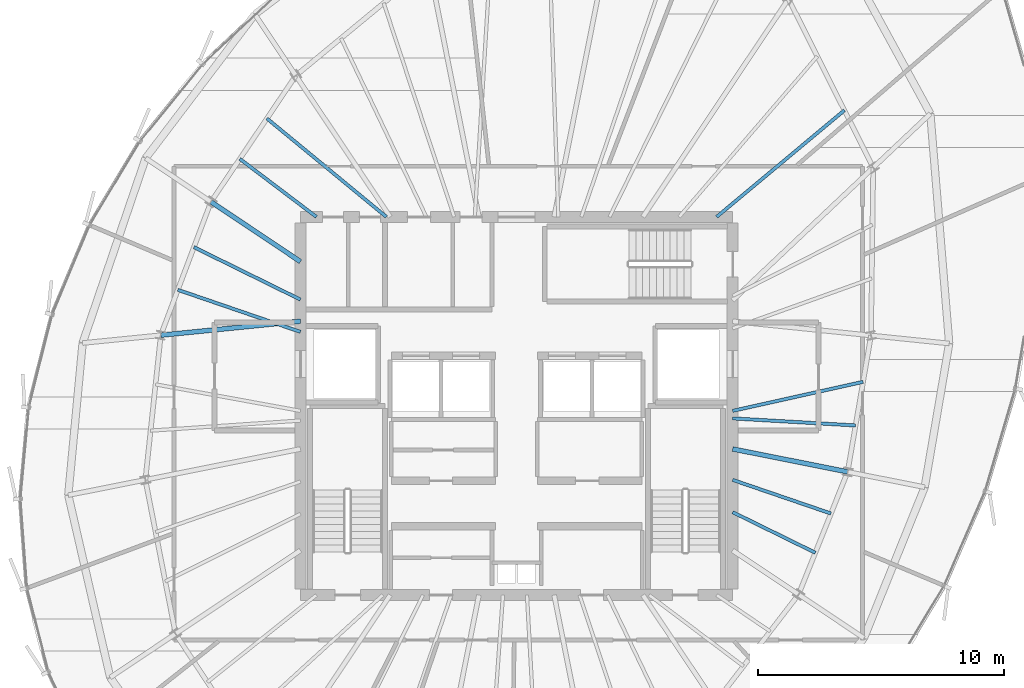
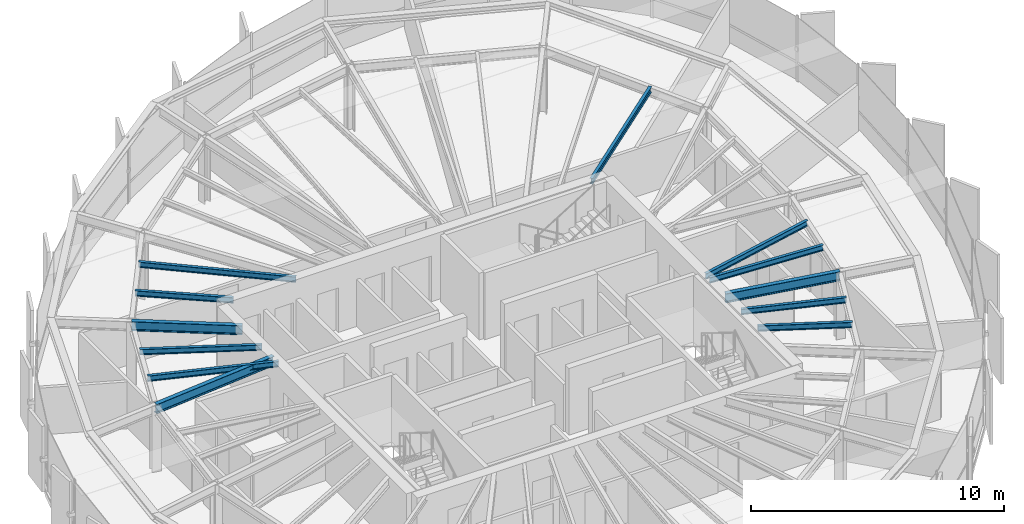
# One storey, part 12 of 33: 12 beams.
"""IFC4 building model written with IfcOpenShell, lengths in metres."""

from ifc_helpers import new_model, si_unit, direction, frame, origin, origin_2d, place, context, subcontext, project, spatial, i_section, extrude, source, transform, mapped, material, material_profile, profile_set, type_object, element, save


model = new_model("IFC4")

# Units and contexts
model_context = context("Model", 3, precision=1e-05, world=origin(), true_north=direction((0.0, 1.0)))
body_context = subcontext(model_context, "Body", "Model", "MODEL_VIEW")
ifc_project = project(units=[si_unit("LENGTHUNIT", "METRE"), si_unit("AREAUNIT", "SQUARE_METRE"), si_unit("VOLUMEUNIT", "CUBIC_METRE"), si_unit("PLANEANGLEUNIT", "RADIAN"), si_unit("MASSUNIT", "GRAM", prefix="KILO"), si_unit("THERMODYNAMICTEMPERATUREUNIT", "KELVIN")], contexts=[model_context])

# Site, building, storey
site_placement = place(None, origin())
site = spatial("IfcSite", under=ifc_project, at=site_placement, CompositionType="ELEMENT")
building_placement = place(site_placement, origin())
building = spatial("IfcBuilding", under=site, at=building_placement, Name="Kethvar Cultural Tower", CompositionType="ELEMENT")
storey_placement = place(building_placement, frame((0.0, 0.0, 256.0)))
storey = spatial("IfcBuildingStorey", under=building, at=storey_placement, Name="L67", CompositionType="ELEMENT", Elevation=256.0)

# Beams
ifc_material = material(Name="Steel S355J2", Category="steel")
ifc_material_profile_1 = material_profile(ifc_material, i_section(OverallWidth=0.18994140625, OverallDepth=0.449951171875, WebThickness=0.009521484375, FlangeThickness=0.0146484375, FilletRadius=0.02099609375, at=origin_2d()), Name="Steel S355J2 — IPE450")
ifc_profile_set_1 = profile_set([ifc_material_profile_1], Name="Steel S355J2 — IPE450")
beam_type_1 = type_object("IfcBeamType", Name="BM-IPE450", PredefinedType="BEAM", material=ifc_profile_set_1)
shared_shape_1 = source(origin(), body_context, "Body", "SweptSolid", [
    extrude(i_section(OverallWidth=0.18994140625, OverallDepth=0.449951171875, WebThickness=0.009521484375, FlangeThickness=0.0146484375, FilletRadius=0.02099609375, at=origin_2d()), origin(), (0.0, 0.0, 1.0), 4.3828125),
])
beam_1_placement = place(storey_placement, frame((38.0, 33.679931640625, 2.98291015625), z_axis=(-0.831449909861, 0.555599718676, 0.0), x_axis=(-0.555599718676, -0.831449909861, 0.0)))
element("IfcBeam", 1, at=beam_1_placement, inside=storey, type_object=beam_type_1, Name="L67 Primary Radial Beam RB-07", PredefinedType="BEAM", context=body_context, shape_type="MappedRepresentation", body=[
    mapped(shared_shape_1, transform((0.0, 0.0, 0.0), scale=1.0)),
])
shared_shape_2 = source(origin(), body_context, "Body", "SweptSolid", [
    extrude(i_section(OverallWidth=0.18994140625, OverallDepth=0.449951171875, WebThickness=0.009521484375, FlangeThickness=0.0146484375, FilletRadius=0.02099609375, at=origin_2d()), origin(), (0.0, 0.0, 1.0), 5.7158203125),
])
beam_2_placement = place(storey_placement, frame((38.0, 31.25, 2.98291015625), z_axis=(-0.995048179628, -0.099393763478, 0.0), x_axis=(0.099393763478, -0.995048179628, 0.0)))
element("IfcBeam", 2, at=beam_2_placement, inside=storey, type_object=beam_type_1, Name="L67 Primary Radial Beam RB-08", PredefinedType="BEAM", context=body_context, shape_type="MappedRepresentation", body=[
    mapped(shared_shape_2, transform((0.0, 0.0, 0.0), scale=1.0)),
])
shared_shape_3 = source(origin(), body_context, "Body", "SweptSolid", [
    extrude(i_section(OverallWidth=0.18994140625, OverallDepth=0.449951171875, WebThickness=0.009521484375, FlangeThickness=0.0146484375, FilletRadius=0.02099609375, at=origin_2d()), origin(), (0.0, 0.0, 1.0), 4.775390625),
])
beam_3_placement = place(storey_placement, frame((55.60009765625, 26.049560546875, 2.98291015625), z_axis=(0.980784643133, -0.195093525761, 0.0), x_axis=(0.195093525761, 0.980784643133, 0.0)))
element("IfcBeam", 3, at=beam_3_placement, inside=storey, type_object=beam_type_1, Name="L67 Primary Radial Beam RB-16", PredefinedType="BEAM", context=body_context, shape_type="MappedRepresentation", body=[
    mapped(shared_shape_3, transform((0.0, 0.0, 0.0), scale=1.0)),
])
ifc_material_profile_2 = material_profile(ifc_material, i_section(OverallWidth=0.135009765625, OverallDepth=0.27001953125, WebThickness=0.006591796875, FlangeThickness=0.01025390625, FilletRadius=0.014892578125, at=origin_2d()), Name="Steel S355J2 — IPE270")
ifc_profile_set_2 = profile_set([ifc_material_profile_2], Name="Steel S355J2 — IPE270")
beam_type_2 = type_object("IfcBeamType", Name="BM-J270", PredefinedType="JOIST", material=ifc_profile_set_2)
shared_shape_4 = source(origin(), body_context, "Body", "SweptSolid", [
    extrude(i_section(OverallWidth=0.135009765625, OverallDepth=0.27001953125, WebThickness=0.006591796875, FlangeThickness=0.01025390625, FilletRadius=0.014892578125, at=origin_2d()), origin(), (0.0, 0.0, 1.0), 6.776123046875),
])
beam_4_placement = place(storey_placement, frame((54.949951171875, 35.5, 3.072998046875), z_axis=(0.767801747857, 0.6406875026, 0.0), x_axis=(-0.6406875026, 0.767801747857, 0.0)))
element("IfcBeam", 4, at=beam_4_placement, inside=storey, type_object=beam_type_2, Name="L67 Composite Floor Joist J-02A", PredefinedType="JOIST", context=body_context, shape_type="MappedRepresentation", body=[
    mapped(shared_shape_4, transform((0.0, 0.0, 0.0), scale=1.0)),
])
shared_shape_5 = source(origin(), body_context, "Body", "SweptSolid", [
    extrude(i_section(OverallWidth=0.135009765625, OverallDepth=0.27001953125, WebThickness=0.006591796875, FlangeThickness=0.01025390625, FilletRadius=0.014892578125, at=origin_2d()), origin(), (0.0, 0.0, 1.0), 6.302978515625),
])
beam_5_placement = place(storey_placement, frame((41.5, 35.5, 3.072998046875), z_axis=(-0.771828477148, 0.635830796567, 0.0), x_axis=(-0.635830796567, -0.771828477148, 0.0)))
element("IfcBeam", 5, at=beam_5_placement, inside=storey, type_object=beam_type_2, Name="L67 Composite Floor Joist J-06A", PredefinedType="JOIST", context=body_context, shape_type="MappedRepresentation", body=[
    mapped(shared_shape_5, transform((0.0, 0.0, 0.0), scale=1.0)),
])
shared_shape_6 = source(origin(), body_context, "Body", "SweptSolid", [
    extrude(i_section(OverallWidth=0.135009765625, OverallDepth=0.27001953125, WebThickness=0.006591796875, FlangeThickness=0.01025390625, FilletRadius=0.014892578125, at=origin_2d()), origin(), (0.0, 0.0, 1.0), 3.91357421875),
])
beam_6_placement = place(storey_placement, frame((38.64990234375, 35.5, 3.072998046875), z_axis=(-0.797214062325, 0.603696727531, 0.0), x_axis=(-0.603696727531, -0.797214062325, 0.0)))
element("IfcBeam", 6, at=beam_6_placement, inside=storey, type_object=beam_type_2, Name="L67 Composite Floor Joist J-06B", PredefinedType="JOIST", context=body_context, shape_type="MappedRepresentation", body=[
    mapped(shared_shape_6, transform((0.0, 0.0, 0.0), scale=1.0)),
])
shared_shape_7 = source(origin(), body_context, "Body", "SweptSolid", [
    extrude(i_section(OverallWidth=0.135009765625, OverallDepth=0.27001953125, WebThickness=0.006591796875, FlangeThickness=0.01025390625, FilletRadius=0.014892578125, at=origin_2d()), origin(), (0.0, 0.0, 1.0), 4.8359375),
])
beam_7_placement = place(storey_placement, frame((38.0, 32.1318359375, 3.072998046875), z_axis=(-0.897196527088, 0.441631511308, 0.0), x_axis=(-0.441631511308, -0.897196527088, 0.0)))
element("IfcBeam", 7, at=beam_7_placement, inside=storey, type_object=beam_type_2, Name="L67 Composite Floor Joist J-07A", PredefinedType="JOIST", context=body_context, shape_type="MappedRepresentation", body=[
    mapped(shared_shape_7, transform((0.0, 0.0, 0.0), scale=1.0)),
])
shared_shape_8 = source(origin(), body_context, "Body", "SweptSolid", [
    extrude(i_section(OverallWidth=0.135009765625, OverallDepth=0.27001953125, WebThickness=0.006591796875, FlangeThickness=0.01025390625, FilletRadius=0.014892578125, at=origin_2d()), origin(), (0.0, 0.0, 1.0), 5.2783203125),
])
beam_8_placement = place(storey_placement, frame((38.0, 30.817138671875, 3.072998046875), z_axis=(-0.945942702368, 0.324333784607, 0.0), x_axis=(-0.324333784607, -0.945942702368, 0.0)))
element("IfcBeam", 8, at=beam_8_placement, inside=storey, type_object=beam_type_2, Name="L67 Composite Floor Joist J-07B", PredefinedType="JOIST", context=body_context, shape_type="MappedRepresentation", body=[
    mapped(shared_shape_8, transform((0.0, 0.0, 0.0), scale=1.0)),
])
shared_shape_9 = source(origin(), body_context, "Body", "SweptSolid", [
    extrude(i_section(OverallWidth=0.135009765625, OverallDepth=0.27001953125, WebThickness=0.006591796875, FlangeThickness=0.01025390625, FilletRadius=0.014892578125, at=origin_2d()), origin(), (0.0, 0.0, 1.0), 3.75),
])
beam_9_placement = place(storey_placement, frame((55.60009765625, 23.476318359375, 3.072998046875), z_axis=(0.8975046019, -0.441005090184, 0.0), x_axis=(0.441005090184, 0.8975046019, 0.0)))
element("IfcBeam", 9, at=beam_9_placement, inside=storey, type_object=beam_type_2, Name="L67 Composite Floor Joist J-15A", PredefinedType="JOIST", context=body_context, shape_type="MappedRepresentation", body=[
    mapped(shared_shape_9, transform((0.0, 0.0, 0.0), scale=1.0)),
])
shared_shape_10 = source(origin(), body_context, "Body", "SweptSolid", [
    extrude(i_section(OverallWidth=0.135009765625, OverallDepth=0.27001953125, WebThickness=0.006591796875, FlangeThickness=0.01025390625, FilletRadius=0.014892578125, at=origin_2d()), origin(), (0.0, 0.0, 1.0), 4.232421875),
])
beam_10_placement = place(storey_placement, frame((55.60009765625, 24.7900390625, 3.072998046875), z_axis=(0.946173747357, -0.323659141402, 0.0), x_axis=(0.323659141402, 0.946173747357, 0.0)))
element("IfcBeam", 10, at=beam_10_placement, inside=storey, type_object=beam_type_2, Name="L67 Composite Floor Joist J-15B", PredefinedType="JOIST", context=body_context, shape_type="MappedRepresentation", body=[
    mapped(shared_shape_10, transform((0.0, 0.0, 0.0), scale=1.0)),
])
shared_shape_11 = source(origin(), body_context, "Body", "SweptSolid", [
    extrude(i_section(OverallWidth=0.135009765625, OverallDepth=0.27001953125, WebThickness=0.006591796875, FlangeThickness=0.01025390625, FilletRadius=0.014892578125, at=origin_2d()), origin(), (0.0, 0.0, 1.0), 5.01611328125),
])
beam_11_placement = place(storey_placement, frame((55.60009765625, 27.294189453125, 3.072998046875), z_axis=(0.998352190078, -0.057383835418, 0.0), x_axis=(0.057383835418, 0.998352190078, 0.0)))
element("IfcBeam", 11, at=beam_11_placement, inside=storey, type_object=beam_type_2, Name="L67 Composite Floor Joist J-16A", PredefinedType="JOIST", context=body_context, shape_type="MappedRepresentation", body=[
    mapped(shared_shape_11, transform((0.0, 0.0, 0.0), scale=1.0)),
])
shared_shape_12 = source(origin(), body_context, "Body", "SweptSolid", [
    extrude(i_section(OverallWidth=0.135009765625, OverallDepth=0.27001953125, WebThickness=0.006591796875, FlangeThickness=0.01025390625, FilletRadius=0.014892578125, at=origin_2d()), origin(), (0.0, 0.0, 1.0), 5.44287109375),
])
beam_12_placement = place(storey_placement, frame((55.60009765625, 27.60009765625, 3.072998046875), z_axis=(0.976080346759, 0.217410111702, 0.0), x_axis=(-0.217410111702, 0.976080346759, 0.0)))
element("IfcBeam", 12, at=beam_12_placement, inside=storey, type_object=beam_type_2, Name="L67 Composite Floor Joist J-16B", PredefinedType="JOIST", context=body_context, shape_type="MappedRepresentation", body=[
    mapped(shared_shape_12, transform((0.0, 0.0, 0.0), scale=1.0)),
])

save(model, "model.ifc")
